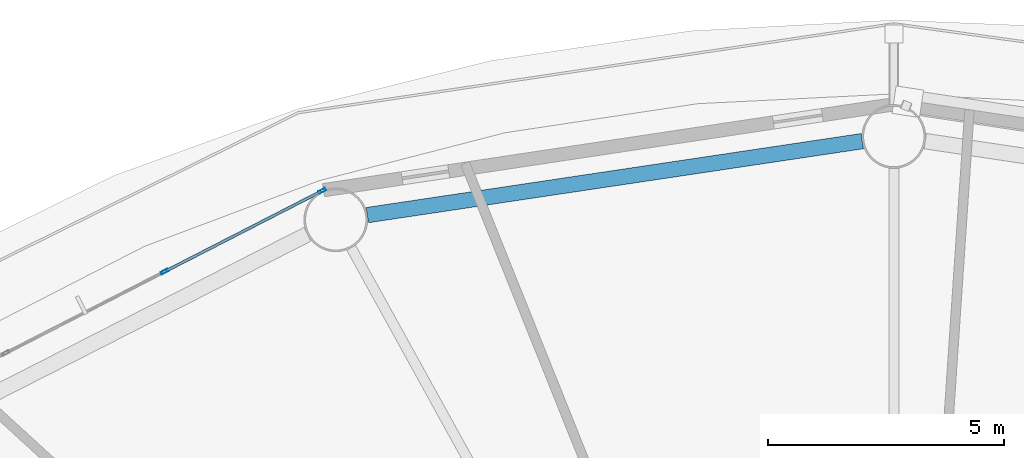
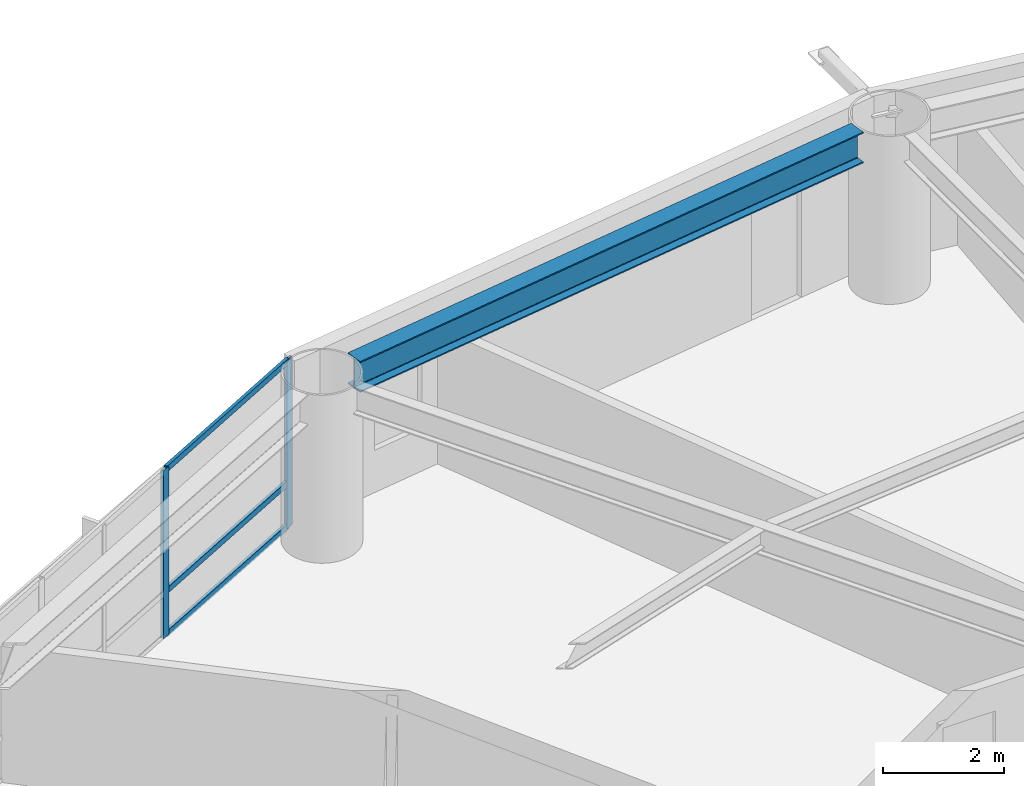
# One storey, part 12 of 26: 5 members, 1 beam, 1 element without a shape of its own.
"""IFC4 building model written with IfcOpenShell, lengths in metres."""

from ifc_helpers import new_model, si_unit, direction, frame, origin, origin_2d, place, context, subcontext, project, spatial, hollow_rectangle, i_section, extrude, material, layer, layer_set, material_profile, profile_set, type_object, element, aggregate, save


model = new_model("IFC4")

# Units and contexts
model_context = context("Model", 3, precision=1e-05, world=origin(), true_north=direction((0.0, 1.0)))
body_context = subcontext(model_context, "Body", "Model", "MODEL_VIEW")
ifc_project = project(units=[si_unit("LENGTHUNIT", "METRE"), si_unit("AREAUNIT", "SQUARE_METRE"), si_unit("VOLUMEUNIT", "CUBIC_METRE"), si_unit("PLANEANGLEUNIT", "RADIAN"), si_unit("MASSUNIT", "GRAM", prefix="KILO")], contexts=[model_context])

# Site, building, storey
site_placement = place(None, origin())
site = spatial("IfcSite", under=ifc_project, at=site_placement, CompositionType="ELEMENT")
building_placement = place(site_placement, origin())
building = spatial("IfcBuilding", under=site, at=building_placement, Name="Sarneth Arch Tower", CompositionType="ELEMENT")
storey_placement = place(building_placement, frame((0.0, 0.0, 60.60009765625)))
storey = spatial("IfcBuildingStorey", under=building, at=storey_placement, Name="L14", CompositionType="ELEMENT", Elevation=60.60009765625)

# Beam
ifc_material_1 = material(Name="Steel S355", Category="steel")
ifc_material_profile_1 = material_profile(ifc_material_1, i_section(OverallWidth=0.326904296875, OverallDepth=0.6220703125, WebThickness=0.015380859375, FlangeThickness=0.0244140625, FilletRadius=0.01904296875, at=origin_2d()), Name="W610x195")
ifc_profile_set_1 = profile_set([ifc_material_profile_1], Name="Steel S355")
beam_type = type_object("IfcBeamType", Name="BM-SPAN-610A", PredefinedType="SPANDREL", material=ifc_profile_set_1)
beam_placement = place(storey_placement, frame((47.33251953125, 65.100341796875, 3.06884765625), z_axis=(-0.989015788086, -0.147809914809, 0.0), x_axis=(0.147809914809, -0.989015788086, 0.0)))
element("IfcBeam", 1, at=beam_placement, inside=storey, type_object=beam_type, Name="L14 Perimeter spandrel beam 05", PredefinedType="SPANDREL", context=body_context, shape_type="SweptSolid", body=[
    extrude(i_section(OverallWidth=0.326904296875, OverallDepth=0.6220703125, WebThickness=0.015380859375, FlangeThickness=0.0244140625, FilletRadius=0.01904296875, at=origin_2d()), origin(), (0.0, 0.0, 1.0), 10.59912109375),
])

# Curtain wall, members
ifc_material_2 = material(Name="Anodised aluminium Type AA25 and solar-control low-e laminated IGU", Category="aluminium")
ifc_layer = layer(ifc_material_2, 0.159912109375)
ifc_layer_set = layer_set([ifc_layer], Name="Anodised aluminium Type AA25 and solar-control low-e laminated IGU")
curtain_wall_type = type_object("IfcCurtainWallType", Name="CW-HOTEL-LOW", PredefinedType="NOTDEFINED", material=ifc_layer_set)
curtain_wall_placement = place(storey_placement, origin())
curtain_wall = element("IfcCurtainWall", 2, at=curtain_wall_placement, inside=storey, type_object=curtain_wall_type, Name="L14 Unitised curtain wall facet 06", PredefinedType="NOTDEFINED")
ifc_material_3 = material(Name="Anodised Aluminium 6063-T6", Category="aluminium")
ifc_material_profile_2 = material_profile(ifc_material_3, hollow_rectangle(XDim=0.06005859375, YDim=0.159912109375, WallThickness=0.00390625, at=origin_2d()), Name="AL-MULL-160x60x4")
ifc_profile_set_2 = profile_set([ifc_material_profile_2], Name="Anodised Aluminium 6063-T6")
member_type_1 = type_object("IfcMemberType", Name="CW-MULLION", PredefinedType="MULLION", material=ifc_profile_set_2)
member_1_placement = place(storey_placement, frame((35.8955078125, 64.048583984375, 0.0), z_axis=(0.0, 0.0, 1.0), x_axis=(0.456245197127, -0.889854100456, 0.0)))
member_1 = element("IfcMember", 3, at=member_1_placement, type_object=member_type_1, Name="CW-SYS-3 mullion 1", PredefinedType="MULLION", context=body_context, shape_type="SweptSolid", body=[
    extrude(hollow_rectangle(XDim=0.06005859375, YDim=0.159912109375, WallThickness=0.00390625, at=origin_2d()), origin(), (0.0, 0.0, 1.0), 3.3798828125),
])
member_2_placement = place(storey_placement, frame((32.556640625, 62.336669921875, 0.0), z_axis=(0.0, 0.0, 1.0), x_axis=(0.456245197127, -0.889854100456, 0.0)))
member_2 = element("IfcMember", 4, at=member_2_placement, type_object=member_type_1, Name="CW-SYS-3 mullion 2", PredefinedType="MULLION", context=body_context, shape_type="SweptSolid", body=[
    extrude(hollow_rectangle(XDim=0.06005859375, YDim=0.159912109375, WallThickness=0.00390625, at=origin_2d()), origin(), (0.0, 0.0, 1.0), 3.3798828125),
])
ifc_material_4 = material(Name="Anodised Aluminium 6063-T6", Category="aluminium")
ifc_material_profile_3 = material_profile(ifc_material_4, hollow_rectangle(XDim=0.06005859375, YDim=0.1201171875, WallThickness=0.00390625, at=origin_2d()), Name="AL-TRAN-120x60x4")
ifc_profile_set_3 = profile_set([ifc_material_profile_3], Name="Anodised Aluminium 6063-T6")
member_type_2 = type_object("IfcMemberType", Name="CW-TRANSOM", PredefinedType="USERDEFINED", material=ifc_profile_set_3)
member_3_placement = place(storey_placement, frame((35.86865234375, 64.034912109375, 0.02978515625), z_axis=(-0.889831232102, -0.456289796485, 0.0), x_axis=(0.456289796485, -0.889831232102, 0.0)))
member_3 = element("IfcMember", 5, at=member_3_placement, type_object=member_type_2, Name="CW-SYS-3 transom 1.1", ObjectType="TRANSOM", PredefinedType="USERDEFINED", context=body_context, shape_type="SweptSolid", body=[
    extrude(hollow_rectangle(XDim=0.06005859375, YDim=0.1201171875, WallThickness=0.00390625, at=origin_2d()), origin(), (0.0, 0.0, 1.0), 3.69189453125),
])
member_4_placement = place(storey_placement, frame((35.86865234375, 64.034912109375, 0.89990234375), z_axis=(-0.889831232102, -0.456289796485, 0.0), x_axis=(0.456289796485, -0.889831232102, 0.0)))
member_4 = element("IfcMember", 6, at=member_4_placement, type_object=member_type_2, Name="CW-SYS-3 transom 1.2", ObjectType="TRANSOM", PredefinedType="USERDEFINED", context=body_context, shape_type="SweptSolid", body=[
    extrude(hollow_rectangle(XDim=0.06005859375, YDim=0.1201171875, WallThickness=0.00390625, at=origin_2d()), origin(), (0.0, 0.0, 1.0), 3.69189453125),
])
member_5_placement = place(storey_placement, frame((35.86865234375, 64.034912109375, 3.349853515625), z_axis=(-0.889831232102, -0.456289796485, 0.0), x_axis=(0.456289796485, -0.889831232102, 0.0)))
member_5 = element("IfcMember", 7, at=member_5_placement, type_object=member_type_2, Name="CW-SYS-3 transom 1.3", ObjectType="TRANSOM", PredefinedType="USERDEFINED", context=body_context, shape_type="SweptSolid", body=[
    extrude(hollow_rectangle(XDim=0.06005859375, YDim=0.1201171875, WallThickness=0.00390625, at=origin_2d()), origin(), (0.0, 0.0, 1.0), 3.69189453125),
])
aggregate(curtain_wall, [member_1, member_2, member_3, member_4, member_5])

save(model, "model.ifc")
